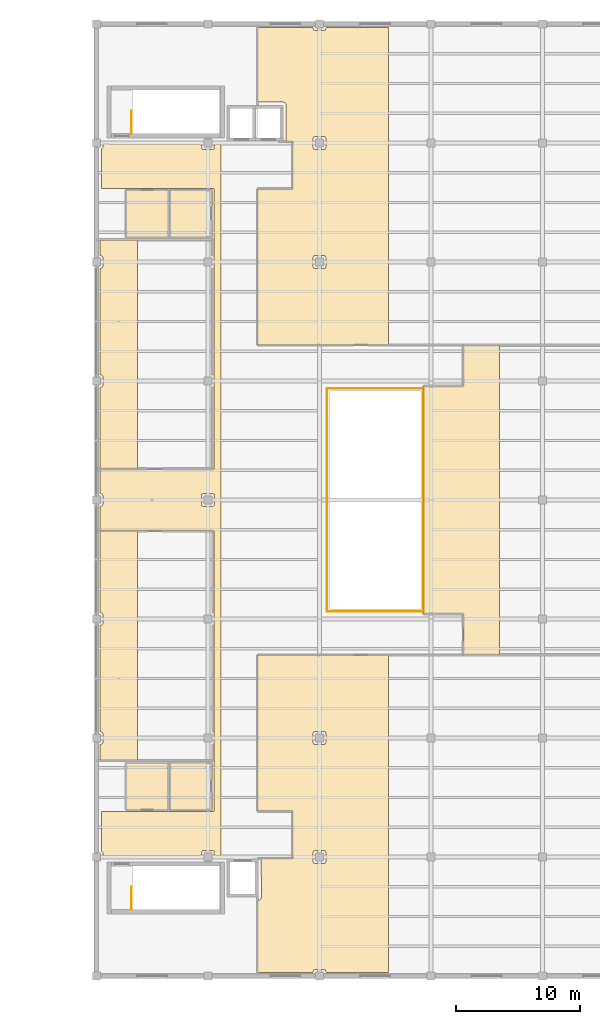
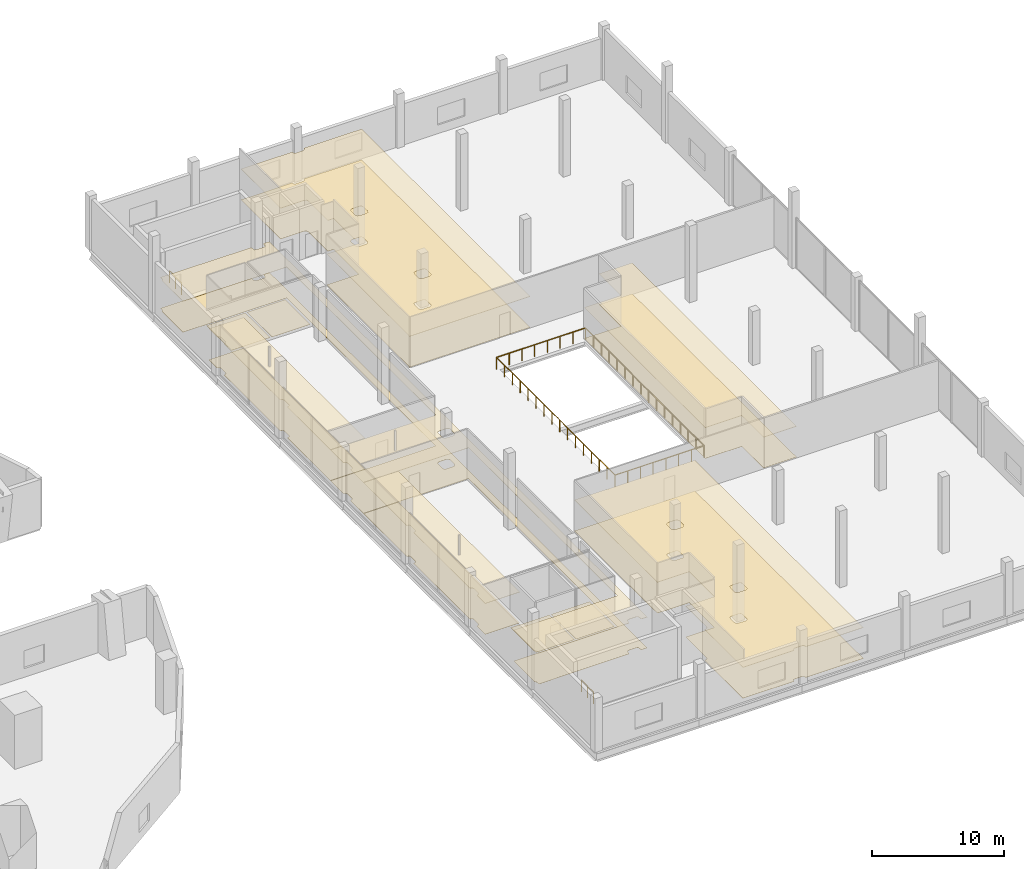
# One storey, part 43 of 43: 16 coverings, 6 railings.
"""IFC4 building model written with IfcOpenShell, lengths in metres."""

from ifc_helpers import new_model, si_unit, direction, frame, origin, origin_2d, place, context, subcontext, project, spatial, polyline, circle, outline, extrude, material, layer, layer_set, type_object, element, save


model = new_model("IFC4")

# Units and contexts
model_context = context("Model", 3, precision=1e-05, world=origin(), true_north=direction((0.0, 1.0)))
body_context = subcontext(model_context, "Body", "Model", "MODEL_VIEW")
ifc_project = project(units=[si_unit("LENGTHUNIT", "METRE"), si_unit("AREAUNIT", "SQUARE_METRE"), si_unit("VOLUMEUNIT", "CUBIC_METRE"), si_unit("PLANEANGLEUNIT", "RADIAN"), si_unit("MASSUNIT", "GRAM", prefix="KILO")], contexts=[model_context])

# Site, building, storey
site_placement = place(None, origin())
site = spatial("IfcSite", under=ifc_project, at=site_placement, CompositionType="ELEMENT")
building_placement = place(site_placement, origin())
building = spatial("IfcBuilding", under=site, at=building_placement, Name="Qorvath Tower", CompositionType="ELEMENT")
storey_placement = place(building_placement, frame((0.0, 0.0, 22.0)))
storey = spatial("IfcBuildingStorey", under=building, at=storey_placement, Name="L04", CompositionType="ELEMENT", Elevation=22.0)

# Coverings
ifc_material_1 = material(Name="Acoustic mineral fibre ceiling tile", Category="gypsum")
ifc_layer_1 = layer(ifc_material_1, 0.030029296875)
ifc_layer_set_1 = layer_set([ifc_layer_1], Name="COV-CEIL")
covering_type_1 = type_object("IfcCoveringType", Name="COV-CEIL", PredefinedType="CEILING", material=ifc_layer_set_1)
covering_1_placement = place(storey_placement, frame((0.0, 0.0, 2.85009765625)))
element("IfcCovering", 1, at=covering_1_placement, inside=storey, type_object=covering_type_1, Name="L04 Suspended Acoustic Ceiling 005", PredefinedType="CEILING", context=body_context, shape_type="SweptSolid", body=[
    extrude(outline(polyline([(41.905029296875, -25.1201171875), (32.804931640625, -25.125), (32.804931640625, -28.302734375), (32.9296875, -28.47314453125), (32.929931640625, -28.733154296875), (40.8701171875, -28.699951171875), (40.931640625, -28.328857421875), (41.074951171875, -28.27001953125), (41.72509765625, -28.27001953125), (41.87109375, -28.331787109375), (41.929931640625, -28.699951171875), (42.455078125, -28.698486328125), (42.455078125, 28.7080078125), (41.929931640625, 28.7099609375), (41.87109375, 28.331787109375), (41.72509765625, 28.27001953125), (41.074951171875, 28.27001953125), (40.931640625, 28.328857421875), (40.8701171875, 28.7099609375), (32.929931640625, 28.7431640625), (32.9296875, 28.47314453125), (32.804931640625, 28.302734375), (32.804931640625, 25.125), (41.905029296875, 25.1201171875), (41.905029296875, 2.5), (32.68505859375, 2.4951171875), (32.68505859375, 0.528564453125), (32.867919921875, 0.47119140625), (32.9296875, 0.326904296875), (32.929931640625, -0.324951171875), (32.867919921875, -0.47119140625), (32.68505859375, -0.528564453125), (32.68505859375, -2.4951171875), (41.905029296875, -2.5), (41.905029296875, -25.1201171875)]), holes=[polyline([(40.928955078125, -0.46826171875), (40.8701171875, -0.324951171875), (40.8701171875, 0.324951171875), (40.931640625, 0.470947265625), (41.074951171875, 0.530029296875), (41.72509765625, 0.530029296875), (41.87109375, 0.46826171875), (41.929931640625, 0.324951171875), (41.929931640625, -0.324951171875), (41.868408203125, -0.470947265625), (41.72509765625, -0.530029296875), (41.074951171875, -0.530029296875), (40.928955078125, -0.46826171875)])]), origin(), (0.0, 0.0, 1.0), 0.030029296875),
])
covering_2_placement = place(storey_placement, frame((0.0, 0.0, 2.85009765625)))
element("IfcCovering", 2, at=covering_2_placement, inside=storey, type_object=covering_type_1, Name="L04 Suspended Acoustic Ceiling 006", PredefinedType="CEILING", context=body_context, shape_type="SweptSolid", body=[
    extrude(outline(polyline([(62.008056640625, 9.18701171875), (58.804931640625, 9.18701171875), (58.804931640625, -9.18701171875), (62.011474609375, -9.1884765625), (62.012939453125, -12.4951171875), (64.908447265625, -12.4951171875), (64.908447265625, 12.4951171875), (62.012939453125, 12.4951171875), (62.008056640625, 9.18701171875)])), origin(), (0.0, 0.0, 1.0), 0.030029296875),
])
covering_3_placement = place(storey_placement, frame((0.0, 0.0, 2.85009765625)))
element("IfcCovering", 3, at=covering_3_placement, inside=storey, type_object=covering_type_1, Name="L04 Suspended Acoustic Ceiling 007", PredefinedType="CEILING", context=body_context, shape_type="SweptSolid", body=[
    extrude(outline(polyline([(45.405029296875, 38.114990234375), (45.405029296875, 32.110107421875), (47.4599609375, 32.110107421875), (47.63671875, 32.036865234375), (47.7099609375, 31.860107421875), (47.69873046875, 28.9130859375), (48.212890625, 28.907958984375), (48.21142578125, 25.1083984375), (45.4130859375, 25.10693359375), (45.4130859375, 12.512939453125), (55.97509765625, 12.512939453125), (55.97509765625, 38.114990234375), (50.9287109375, 38.114990234375), (50.87109375, 37.93212890625), (50.726806640625, 37.870361328125), (50.074951171875, 37.8701171875), (49.9287109375, 37.93212890625), (49.871337890625, 38.114990234375), (45.405029296875, 38.114990234375)]), holes=[polyline([(50.726806640625, 19.729736328125), (50.87109375, 19.668212890625), (50.929931640625, 19.52490234375), (50.929931640625, 18.875), (50.87109375, 18.731689453125), (50.72509765625, 18.669921875), (50.074951171875, 18.669921875), (49.931640625, 18.72900390625), (49.8701171875, 18.875), (49.8701171875, 19.52490234375), (49.928955078125, 19.668212890625), (50.074951171875, 19.72998046875), (50.726806640625, 19.729736328125)]), polyline([(50.87109375, 29.268310546875), (50.929931640625, 29.125), (50.929931640625, 28.47509765625), (50.868408203125, 28.328857421875), (50.72509765625, 28.27001953125), (50.074951171875, 28.27001953125), (49.928955078125, 28.331787109375), (49.8701171875, 28.47509765625), (49.8701171875, 29.125), (49.931640625, 29.27099609375), (50.074951171875, 29.330078125), (50.72509765625, 29.330078125), (50.87109375, 29.268310546875)])]), origin(), (0.0, 0.0, 1.0), 0.030029296875),
])
covering_4_placement = place(storey_placement, frame((0.0, 0.0, 2.85009765625)))
element("IfcCovering", 4, at=covering_4_placement, inside=storey, type_object=covering_type_1, Name="L04 Suspended Acoustic Ceiling 008", PredefinedType="CEILING", context=body_context, shape_type="SweptSolid", body=[
    extrude(outline(polyline([(55.97509765625, -38.114990234375), (55.97509765625, -12.512939453125), (45.4130859375, -12.512939453125), (45.4130859375, -25.10693359375), (48.21142578125, -25.1083984375), (48.212890625, -28.907958984375), (45.69873046875, -28.9130859375), (45.7099609375, -32.06005859375), (45.63671875, -32.23681640625), (45.405029296875, -32.31005859375), (45.405029296875, -38.114990234375), (49.871337890625, -38.114990234375), (49.9287109375, -37.93212890625), (50.072998046875, -37.870361328125), (50.72509765625, -37.8701171875), (50.87109375, -37.93212890625), (50.9287109375, -38.114990234375), (55.97509765625, -38.114990234375)]), holes=[polyline([(50.87109375, -28.331787109375), (50.929931640625, -28.47509765625), (50.929931640625, -29.125), (50.868408203125, -29.27099609375), (50.72509765625, -29.330078125), (50.074951171875, -29.330078125), (49.928955078125, -29.268310546875), (49.8701171875, -29.125), (49.8701171875, -28.47509765625), (49.931640625, -28.328857421875), (50.074951171875, -28.27001953125), (50.72509765625, -28.27001953125), (50.87109375, -28.331787109375)]), polyline([(50.87109375, -18.731689453125), (50.929931640625, -18.875), (50.929931640625, -19.52490234375), (50.868408203125, -19.671142578125), (50.72509765625, -19.72998046875), (50.074951171875, -19.72998046875), (49.928955078125, -19.668212890625), (49.8701171875, -19.52490234375), (49.8701171875, -18.875), (49.931640625, -18.72900390625), (50.074951171875, -18.669921875), (50.72509765625, -18.669921875), (50.87109375, -18.731689453125)])]), origin(), (0.0, 0.0, 1.0), 0.030029296875),
])
covering_5_placement = place(storey_placement, frame((0.0, 0.0, 2.85009765625)))
element("IfcCovering", 5, at=covering_5_placement, inside=storey, type_object=covering_type_1, Name="L04 Suspended Acoustic Ceiling 009", PredefinedType="CEILING", context=body_context, shape_type="SweptSolid", body=[
    extrude(outline(polyline([(32.9296875, 9.273193359375), (32.867919921875, 9.12890625), (32.68505859375, 9.0712890625), (32.68505859375, 2.512939453125), (35.7216796875, 2.512939453125), (35.7216796875, 20.9951171875), (32.68505859375, 20.9951171875), (32.68505859375, 19.728759765625), (32.867919921875, 19.671142578125), (32.9296875, 19.52685546875), (32.929931640625, 18.875), (32.867919921875, 18.728759765625), (32.68505859375, 18.67138671875), (32.68505859375, 10.128662109375), (32.867919921875, 10.0712890625), (32.9296875, 9.927001953125), (32.9296875, 9.273193359375)])), origin(), (0.0, 0.0, 1.0), 0.030029296875),
])
covering_6_placement = place(storey_placement, frame((0.0, 0.0, 2.85009765625)))
element("IfcCovering", 6, at=covering_6_placement, inside=storey, type_object=covering_type_1, Name="L04 Suspended Acoustic Ceiling 010", PredefinedType="CEILING", context=body_context, shape_type="SweptSolid", body=[
    extrude(outline(polyline([(32.9296875, -19.52685546875), (32.867919921875, -19.671142578125), (32.68505859375, -19.728759765625), (32.68505859375, -20.9951171875), (35.7216796875, -20.9951171875), (35.7216796875, -2.512939453125), (32.68505859375, -2.512939453125), (32.68505859375, -9.0712890625), (32.867919921875, -9.12890625), (32.9296875, -9.273193359375), (32.929931640625, -9.925048828125), (32.867919921875, -10.0712890625), (32.68505859375, -10.128662109375), (32.68505859375, -18.67138671875), (32.867919921875, -18.728759765625), (32.9296875, -18.873046875), (32.9296875, -19.52685546875)])), origin(), (0.0, 0.0, 1.0), 0.030029296875),
])
ifc_material_2 = material(Name="Low-VOC modular carpet tile", Category="textile")
ifc_layer_2 = layer(ifc_material_2, 0.014892578125)
ifc_layer_set_2 = layer_set([ifc_layer_2], Name="COV-FLOOR-CPT")
covering_type_2 = type_object("IfcCoveringType", Name="COV-FLOOR-CPT", PredefinedType="FLOORING", material=ifc_layer_set_2)
covering_7_placement = place(storey_placement, origin())
element("IfcCovering", 7, at=covering_7_placement, inside=storey, type_object=covering_type_2, Name="L04 Floor Finish 004", PredefinedType="FLOORING", context=body_context, shape_type="SweptSolid", body=[
    extrude(outline(polyline([(38.195068359375, -21.205078125), (34.804931640625, -21.205078125), (34.804931640625, -24.9951171875), (38.195068359375, -24.9951171875), (38.195068359375, -21.205078125)])), origin(), (0.0, 0.0, 1.0), 0.014892578125),
])
covering_8_placement = place(storey_placement, origin())
element("IfcCovering", 8, at=covering_8_placement, inside=storey, type_object=covering_type_2, Name="L04 Floor Finish 006", PredefinedType="FLOORING", context=body_context, shape_type="SweptSolid", body=[
    extrude(outline(polyline([(62.008056640625, 9.18701171875), (58.804931640625, 9.18701171875), (58.804931640625, -9.18701171875), (62.011474609375, -9.1884765625), (62.012939453125, -12.4951171875), (64.908447265625, -12.4951171875), (64.908447265625, 12.4951171875), (62.012939453125, 12.4951171875), (62.008056640625, 9.18701171875)])), origin(), (0.0, 0.0, 1.0), 0.014892578125),
])
covering_9_placement = place(storey_placement, origin())
element("IfcCovering", 9, at=covering_9_placement, inside=storey, type_object=covering_type_2, Name="L04 Floor Finish 007", PredefinedType="FLOORING", context=body_context, shape_type="SweptSolid", body=[
    extrude(outline(polyline([(45.405029296875, 38.114990234375), (45.405029296875, 32.110107421875), (47.4599609375, 32.110107421875), (47.63671875, 32.036865234375), (47.7099609375, 31.860107421875), (47.69873046875, 28.9130859375), (48.212890625, 28.907958984375), (48.21142578125, 25.1083984375), (45.4130859375, 25.10693359375), (45.4130859375, 12.512939453125), (55.97509765625, 12.512939453125), (55.97509765625, 38.114990234375), (50.9287109375, 38.114990234375), (50.87109375, 37.93212890625), (50.726806640625, 37.870361328125), (50.074951171875, 37.8701171875), (49.9287109375, 37.93212890625), (49.871337890625, 38.114990234375), (45.405029296875, 38.114990234375)]), holes=[polyline([(50.726806640625, 19.729736328125), (50.87109375, 19.668212890625), (50.929931640625, 19.52490234375), (50.929931640625, 18.875), (50.87109375, 18.731689453125), (50.72509765625, 18.669921875), (50.074951171875, 18.669921875), (49.931640625, 18.72900390625), (49.8701171875, 18.875), (49.8701171875, 19.52490234375), (49.928955078125, 19.668212890625), (50.074951171875, 19.72998046875), (50.726806640625, 19.729736328125)]), polyline([(50.87109375, 29.268310546875), (50.929931640625, 29.125), (50.929931640625, 28.47509765625), (50.868408203125, 28.328857421875), (50.72509765625, 28.27001953125), (50.074951171875, 28.27001953125), (49.928955078125, 28.331787109375), (49.8701171875, 28.47509765625), (49.8701171875, 29.125), (49.931640625, 29.27099609375), (50.074951171875, 29.330078125), (50.72509765625, 29.330078125), (50.87109375, 29.268310546875)])]), origin(), (0.0, 0.0, 1.0), 0.014892578125),
])
covering_10_placement = place(storey_placement, origin())
element("IfcCovering", 10, at=covering_10_placement, inside=storey, type_object=covering_type_2, Name="L04 Floor Finish 008", PredefinedType="FLOORING", context=body_context, shape_type="SweptSolid", body=[
    extrude(outline(polyline([(55.97509765625, -38.114990234375), (55.97509765625, -12.512939453125), (45.4130859375, -12.512939453125), (45.4130859375, -25.10693359375), (48.21142578125, -25.1083984375), (48.212890625, -28.907958984375), (45.69873046875, -28.9130859375), (45.7099609375, -32.06005859375), (45.63671875, -32.23681640625), (45.405029296875, -32.31005859375), (45.405029296875, -38.114990234375), (49.871337890625, -38.114990234375), (49.9287109375, -37.93212890625), (50.072998046875, -37.870361328125), (50.72509765625, -37.8701171875), (50.87109375, -37.93212890625), (50.9287109375, -38.114990234375), (55.97509765625, -38.114990234375)]), holes=[polyline([(50.87109375, -28.331787109375), (50.929931640625, -28.47509765625), (50.929931640625, -29.125), (50.868408203125, -29.27099609375), (50.72509765625, -29.330078125), (50.074951171875, -29.330078125), (49.928955078125, -29.268310546875), (49.8701171875, -29.125), (49.8701171875, -28.47509765625), (49.931640625, -28.328857421875), (50.074951171875, -28.27001953125), (50.72509765625, -28.27001953125), (50.87109375, -28.331787109375)]), polyline([(50.87109375, -18.731689453125), (50.929931640625, -18.875), (50.929931640625, -19.52490234375), (50.868408203125, -19.671142578125), (50.72509765625, -19.72998046875), (50.074951171875, -19.72998046875), (49.928955078125, -19.668212890625), (49.8701171875, -19.52490234375), (49.8701171875, -18.875), (49.931640625, -18.72900390625), (50.074951171875, -18.669921875), (50.72509765625, -18.669921875), (50.87109375, -18.731689453125)])]), origin(), (0.0, 0.0, 1.0), 0.014892578125),
])
covering_11_placement = place(storey_placement, origin())
element("IfcCovering", 11, at=covering_11_placement, inside=storey, type_object=covering_type_2, Name="L04 Floor Finish 009", PredefinedType="FLOORING", context=body_context, shape_type="SweptSolid", body=[
    extrude(outline(polyline([(32.9296875, 9.273193359375), (32.867919921875, 9.12890625), (32.68505859375, 9.0712890625), (32.68505859375, 2.512939453125), (35.7216796875, 2.512939453125), (35.7216796875, 20.9951171875), (32.68505859375, 20.9951171875), (32.68505859375, 19.728759765625), (32.867919921875, 19.671142578125), (32.9296875, 19.52685546875), (32.929931640625, 18.875), (32.867919921875, 18.728759765625), (32.68505859375, 18.67138671875), (32.68505859375, 10.128662109375), (32.867919921875, 10.0712890625), (32.9296875, 9.927001953125), (32.9296875, 9.273193359375)])), origin(), (0.0, 0.0, 1.0), 0.014892578125),
])
covering_12_placement = place(storey_placement, origin())
element("IfcCovering", 12, at=covering_12_placement, inside=storey, type_object=covering_type_2, Name="L04 Floor Finish 010", PredefinedType="FLOORING", context=body_context, shape_type="SweptSolid", body=[
    extrude(outline(polyline([(32.9296875, -19.52685546875), (32.867919921875, -19.671142578125), (32.68505859375, -19.728759765625), (32.68505859375, -20.9951171875), (35.7216796875, -20.9951171875), (35.7216796875, -2.512939453125), (32.68505859375, -2.512939453125), (32.68505859375, -9.0712890625), (32.867919921875, -9.12890625), (32.9296875, -9.273193359375), (32.929931640625, -9.925048828125), (32.867919921875, -10.0712890625), (32.68505859375, -10.128662109375), (32.68505859375, -18.67138671875), (32.867919921875, -18.728759765625), (32.9296875, -18.873046875), (32.9296875, -19.52685546875)])), origin(), (0.0, 0.0, 1.0), 0.014892578125),
])
ifc_material_3 = material(Name="Polished epoxy terrazzo flooring", Category="concrete")
ifc_layer_3 = layer(ifc_material_3, 0.02001953125)
ifc_layer_set_3 = layer_set([ifc_layer_3], Name="COV-FLOOR-TRZ")
covering_type_3 = type_object("IfcCoveringType", Name="COV-FLOOR-TRZ", PredefinedType="FLOORING", material=ifc_layer_set_3)
covering_13_placement = place(storey_placement, origin())
element("IfcCovering", 13, at=covering_13_placement, inside=storey, type_object=covering_type_3, Name="L04 Floor Finish 001", PredefinedType="FLOORING", context=body_context, shape_type="SweptSolid", body=[
    extrude(outline(polyline([(38.195068359375, 24.9951171875), (34.804931640625, 24.9951171875), (34.804931640625, 21.205078125), (38.195068359375, 21.205078125), (38.195068359375, 24.9951171875)])), origin(), (0.0, 0.0, 1.0), 0.014892578125),
])
covering_14_placement = place(storey_placement, origin())
element("IfcCovering", 14, at=covering_14_placement, inside=storey, type_object=covering_type_3, Name="L04 Floor Finish 002", PredefinedType="FLOORING", context=body_context, shape_type="SweptSolid", body=[
    extrude(outline(polyline([(41.695068359375, 24.9951171875), (38.35498046875, 24.9951171875), (38.35498046875, 21.205078125), (41.695068359375, 21.205078125), (41.695068359375, 24.9951171875)])), origin(), (0.0, 0.0, 1.0), 0.014892578125),
])
covering_15_placement = place(storey_placement, origin())
element("IfcCovering", 15, at=covering_15_placement, inside=storey, type_object=covering_type_3, Name="L04 Floor Finish 003", PredefinedType="FLOORING", context=body_context, shape_type="SweptSolid", body=[
    extrude(outline(polyline([(41.695068359375, -21.205078125), (38.35498046875, -21.205078125), (38.35498046875, -24.9951171875), (41.695068359375, -24.9951171875), (41.695068359375, -21.205078125)])), origin(), (0.0, 0.0, 1.0), 0.014892578125),
])
covering_16_placement = place(storey_placement, origin())
element("IfcCovering", 16, at=covering_16_placement, inside=storey, type_object=covering_type_3, Name="L04 Floor Finish 005", PredefinedType="FLOORING", context=body_context, shape_type="SweptSolid", body=[
    extrude(outline(polyline([(41.905029296875, -25.1201171875), (32.804931640625, -25.125), (32.804931640625, -28.302734375), (32.9296875, -28.47314453125), (32.929931640625, -28.733154296875), (40.8701171875, -28.699951171875), (40.931640625, -28.328857421875), (41.074951171875, -28.27001953125), (41.72509765625, -28.27001953125), (41.87109375, -28.331787109375), (41.929931640625, -28.699951171875), (42.455078125, -28.698486328125), (42.455078125, 28.7080078125), (41.929931640625, 28.7099609375), (41.87109375, 28.331787109375), (41.72509765625, 28.27001953125), (41.074951171875, 28.27001953125), (40.931640625, 28.328857421875), (40.8701171875, 28.7099609375), (32.929931640625, 28.7431640625), (32.9296875, 28.47314453125), (32.804931640625, 28.302734375), (32.804931640625, 25.125), (41.905029296875, 25.1201171875), (41.905029296875, 2.5), (32.68505859375, 2.4951171875), (32.68505859375, 0.528564453125), (32.867919921875, 0.47119140625), (32.9296875, 0.326904296875), (32.929931640625, -0.324951171875), (32.867919921875, -0.47119140625), (32.68505859375, -0.528564453125), (32.68505859375, -2.4951171875), (41.905029296875, -2.5), (41.905029296875, -25.1201171875)]), holes=[polyline([(40.928955078125, -0.46826171875), (40.8701171875, -0.324951171875), (40.8701171875, 0.324951171875), (40.931640625, 0.470947265625), (41.074951171875, 0.530029296875), (41.72509765625, 0.530029296875), (41.87109375, 0.46826171875), (41.929931640625, 0.324951171875), (41.929931640625, -0.324951171875), (41.868408203125, -0.470947265625), (41.72509765625, -0.530029296875), (41.074951171875, -0.530029296875), (40.928955078125, -0.46826171875)])]), origin(), (0.0, 0.0, 1.0), 0.014892578125),
])

# Railings
ifc_material_4 = material(Name="Stainless steel AISI 316 and laminated glass", Category="steel")
railing_type_1 = type_object("IfcRailingType", Name="RL-ATRIUM-BAL", PredefinedType="BALUSTRADE", material=ifc_material_4)
railing_1_placement = place(storey_placement, frame((51.0, -9.0, 0.0)))
element("IfcRailing", 17, at=railing_1_placement, inside=storey, type_object=railing_type_1, Name="Library Atrium Balustrade L04-1", PredefinedType="BALUSTRADE", context=body_context, shape_type="SweptSolid", body=[
    extrude(circle(Radius=0.02392578125, at=origin_2d()), frame((0.0, 0.0, 1.09619140625), z_axis=(1.0, 0.0, 0.0), x_axis=(0.0, 1.0, 0.0)), (0.0, 0.0, 1.0), 7.800048828125),
    extrude(circle(Radius=0.02099609375, at=origin_2d()), origin(), (0.0, 0.0, 1.0), 1.072021484375),
    extrude(circle(Radius=0.02099609375, at=origin_2d()), frame((1.1142578125, 0.0, 0.0)), (0.0, 0.0, 1.0), 1.072021484375),
    extrude(circle(Radius=0.02099609375, at=origin_2d()), frame((2.228515625, 0.0, 0.0)), (0.0, 0.0, 1.0), 1.072021484375),
    extrude(circle(Radius=0.02099609375, at=origin_2d()), frame((3.3427734375, 0.0, 0.0)), (0.0, 0.0, 1.0), 1.072021484375),
    extrude(circle(Radius=0.02099609375, at=origin_2d()), frame((4.457275390625, 0.0, 0.0)), (0.0, 0.0, 1.0), 1.072021484375),
    extrude(circle(Radius=0.02099609375, at=origin_2d()), frame((5.571533203125, 0.0, 0.0)), (0.0, 0.0, 1.0), 1.072021484375),
    extrude(circle(Radius=0.02099609375, at=origin_2d()), frame((6.685791015625, 0.0, 0.0)), (0.0, 0.0, 1.0), 1.072021484375),
    extrude(circle(Radius=0.02099609375, at=origin_2d()), frame((7.800048828125, 0.0, 0.0)), (0.0, 0.0, 1.0), 1.072021484375),
])
railing_2_placement = place(storey_placement, frame((58.800048828125, -9.0, 0.0)))
element("IfcRailing", 18, at=railing_2_placement, inside=storey, type_object=railing_type_1, Name="Library Atrium Balustrade L04-2", PredefinedType="BALUSTRADE", context=body_context, shape_type="SweptSolid", body=[
    extrude(circle(Radius=0.02392578125, at=origin_2d()), frame((0.0, 0.0, 1.09619140625), z_axis=(0.0, 1.0, 0.0), x_axis=(-1.0, 0.0, 0.0)), (0.0, 0.0, 1.0), 18.0),
    extrude(circle(Radius=0.02099609375, at=origin_2d()), origin(), (0.0, 0.0, 1.0), 1.072021484375),
    extrude(circle(Radius=0.02099609375, at=origin_2d()), frame((0.0, 1.199951171875, 0.0)), (0.0, 0.0, 1.0), 1.072021484375),
    extrude(circle(Radius=0.02099609375, at=origin_2d()), frame((0.0, 2.39990234375, 0.0)), (0.0, 0.0, 1.0), 1.072021484375),
    extrude(circle(Radius=0.02099609375, at=origin_2d()), frame((0.0, 3.60009765625, 0.0)), (0.0, 0.0, 1.0), 1.072021484375),
    extrude(circle(Radius=0.02099609375, at=origin_2d()), frame((0.0, 4.800048828125, 0.0)), (0.0, 0.0, 1.0), 1.072021484375),
    extrude(circle(Radius=0.02099609375, at=origin_2d()), frame((0.0, 6.0, 0.0)), (0.0, 0.0, 1.0), 1.072021484375),
    extrude(circle(Radius=0.02099609375, at=origin_2d()), frame((0.0, 7.199951171875, 0.0)), (0.0, 0.0, 1.0), 1.072021484375),
    extrude(circle(Radius=0.02099609375, at=origin_2d()), frame((0.0, 8.39990234375, 0.0)), (0.0, 0.0, 1.0), 1.072021484375),
    extrude(circle(Radius=0.02099609375, at=origin_2d()), frame((0.0, 9.60009765625, 0.0)), (0.0, 0.0, 1.0), 1.072021484375),
    extrude(circle(Radius=0.02099609375, at=origin_2d()), frame((0.0, 10.800048828125, 0.0)), (0.0, 0.0, 1.0), 1.072021484375),
    extrude(circle(Radius=0.02099609375, at=origin_2d()), frame((0.0, 12.0, 0.0)), (0.0, 0.0, 1.0), 1.072021484375),
    extrude(circle(Radius=0.02099609375, at=origin_2d()), frame((0.0, 13.199951171875, 0.0)), (0.0, 0.0, 1.0), 1.072021484375),
    extrude(circle(Radius=0.02099609375, at=origin_2d()), frame((0.0, 14.39990234375, 0.0)), (0.0, 0.0, 1.0), 1.072021484375),
    extrude(circle(Radius=0.02099609375, at=origin_2d()), frame((0.0, 15.60009765625, 0.0)), (0.0, 0.0, 1.0), 1.072021484375),
    extrude(circle(Radius=0.02099609375, at=origin_2d()), frame((0.0, 16.800048828125, 0.0)), (0.0, 0.0, 1.0), 1.072021484375),
    extrude(circle(Radius=0.02099609375, at=origin_2d()), frame((0.0, 18.0, 0.0)), (0.0, 0.0, 1.0), 1.072021484375),
])
railing_3_placement = place(storey_placement, frame((58.800048828125, 9.0, 0.0)))
element("IfcRailing", 19, at=railing_3_placement, inside=storey, type_object=railing_type_1, Name="Library Atrium Balustrade L04-3", PredefinedType="BALUSTRADE", context=body_context, shape_type="SweptSolid", body=[
    extrude(circle(Radius=0.02392578125, at=origin_2d()), frame((0.0, 0.0, 1.09619140625), z_axis=(-1.0, 0.0, 0.0), x_axis=(0.0, -1.0, 0.0)), (0.0, 0.0, 1.0), 7.800048828125),
    extrude(circle(Radius=0.02099609375, at=origin_2d()), origin(), (0.0, 0.0, 1.0), 1.072021484375),
    extrude(circle(Radius=0.02099609375, at=origin_2d()), frame((-1.1142578125, 0.0, 0.0)), (0.0, 0.0, 1.0), 1.072021484375),
    extrude(circle(Radius=0.02099609375, at=origin_2d()), frame((-2.228515625, 0.0, 0.0)), (0.0, 0.0, 1.0), 1.072021484375),
    extrude(circle(Radius=0.02099609375, at=origin_2d()), frame((-3.3427734375, 0.0, 0.0)), (0.0, 0.0, 1.0), 1.072021484375),
    extrude(circle(Radius=0.02099609375, at=origin_2d()), frame((-4.457275390625, 0.0, 0.0)), (0.0, 0.0, 1.0), 1.072021484375),
    extrude(circle(Radius=0.02099609375, at=origin_2d()), frame((-5.571533203125, 0.0, 0.0)), (0.0, 0.0, 1.0), 1.072021484375),
    extrude(circle(Radius=0.02099609375, at=origin_2d()), frame((-6.685791015625, 0.0, 0.0)), (0.0, 0.0, 1.0), 1.072021484375),
    extrude(circle(Radius=0.02099609375, at=origin_2d()), frame((-7.800048828125, 0.0, 0.0)), (0.0, 0.0, 1.0), 1.072021484375),
])
railing_4_placement = place(storey_placement, frame((51.0, 9.0, 0.0)))
element("IfcRailing", 20, at=railing_4_placement, inside=storey, type_object=railing_type_1, Name="Library Atrium Balustrade L04-4", PredefinedType="BALUSTRADE", context=body_context, shape_type="SweptSolid", body=[
    extrude(circle(Radius=0.02392578125, at=origin_2d()), frame((0.0, 0.0, 1.09619140625), z_axis=(0.0, -1.0, 0.0), x_axis=(1.0, 0.0, 0.0)), (0.0, 0.0, 1.0), 18.0),
    extrude(circle(Radius=0.02099609375, at=origin_2d()), origin(), (0.0, 0.0, 1.0), 1.072021484375),
    extrude(circle(Radius=0.02099609375, at=origin_2d()), frame((0.0, -1.199951171875, 0.0)), (0.0, 0.0, 1.0), 1.072021484375),
    extrude(circle(Radius=0.02099609375, at=origin_2d()), frame((0.0, -2.39990234375, 0.0)), (0.0, 0.0, 1.0), 1.072021484375),
    extrude(circle(Radius=0.02099609375, at=origin_2d()), frame((0.0, -3.60009765625, 0.0)), (0.0, 0.0, 1.0), 1.072021484375),
    extrude(circle(Radius=0.02099609375, at=origin_2d()), frame((0.0, -4.800048828125, 0.0)), (0.0, 0.0, 1.0), 1.072021484375),
    extrude(circle(Radius=0.02099609375, at=origin_2d()), frame((0.0, -6.0, 0.0)), (0.0, 0.0, 1.0), 1.072021484375),
    extrude(circle(Radius=0.02099609375, at=origin_2d()), frame((0.0, -7.199951171875, 0.0)), (0.0, 0.0, 1.0), 1.072021484375),
    extrude(circle(Radius=0.02099609375, at=origin_2d()), frame((0.0, -8.39990234375, 0.0)), (0.0, 0.0, 1.0), 1.072021484375),
    extrude(circle(Radius=0.02099609375, at=origin_2d()), frame((0.0, -9.60009765625, 0.0)), (0.0, 0.0, 1.0), 1.072021484375),
    extrude(circle(Radius=0.02099609375, at=origin_2d()), frame((0.0, -10.800048828125, 0.0)), (0.0, 0.0, 1.0), 1.072021484375),
    extrude(circle(Radius=0.02099609375, at=origin_2d()), frame((0.0, -12.0, 0.0)), (0.0, 0.0, 1.0), 1.072021484375),
    extrude(circle(Radius=0.02099609375, at=origin_2d()), frame((0.0, -13.199951171875, 0.0)), (0.0, 0.0, 1.0), 1.072021484375),
    extrude(circle(Radius=0.02099609375, at=origin_2d()), frame((0.0, -14.39990234375, 0.0)), (0.0, 0.0, 1.0), 1.072021484375),
    extrude(circle(Radius=0.02099609375, at=origin_2d()), frame((0.0, -15.60009765625, 0.0)), (0.0, 0.0, 1.0), 1.072021484375),
    extrude(circle(Radius=0.02099609375, at=origin_2d()), frame((0.0, -16.800048828125, 0.0)), (0.0, 0.0, 1.0), 1.072021484375),
    extrude(circle(Radius=0.02099609375, at=origin_2d()), frame((0.0, -18.0, 0.0)), (0.0, 0.0, 1.0), 1.072021484375),
])
ifc_material_5 = material(Name="Painted galvanised steel", Category="steel")
railing_type_2 = type_object("IfcRailingType", Name="RL-STR-GRD", PredefinedType="GUARDRAIL", material=ifc_material_5)
railing_5_placement = place(storey_placement, frame((35.22998046875, 29.550048828125, 0.0)))
element("IfcRailing", 21, at=railing_5_placement, inside=storey, type_object=railing_type_2, Name="L04 LS1 top well guard 1", PredefinedType="GUARDRAIL", context=body_context, shape_type="SweptSolid", body=[
    extrude(circle(Radius=0.02392578125, at=origin_2d()), frame((0.0, 0.0, 1.076171875), z_axis=(0.0, 1.0, 0.0), x_axis=(-1.0, 0.0, 0.0)), (0.0, 0.0, 1.0), 1.829833984375),
    extrude(circle(Radius=0.02099609375, at=origin_2d()), origin(), (0.0, 0.0, 1.0), 1.052001953125),
    extrude(circle(Radius=0.02099609375, at=origin_2d()), frame((0.0, 0.9150390625, 0.0)), (0.0, 0.0, 1.0), 1.052001953125),
    extrude(circle(Radius=0.02099609375, at=origin_2d()), frame((0.0, 1.829833984375, 0.0)), (0.0, 0.0, 1.0), 1.052001953125),
])
railing_6_placement = place(storey_placement, frame((35.22998046875, -33.050048828125, 0.0)))
element("IfcRailing", 22, at=railing_6_placement, inside=storey, type_object=railing_type_2, Name="L04 LS2 top well guard 1", PredefinedType="GUARDRAIL", context=body_context, shape_type="SweptSolid", body=[
    extrude(circle(Radius=0.02392578125, at=origin_2d()), frame((0.0, 0.0, 1.076171875), z_axis=(0.0, 1.0, 0.0), x_axis=(-1.0, 0.0, 0.0)), (0.0, 0.0, 1.0), 1.830078125),
    extrude(circle(Radius=0.02099609375, at=origin_2d()), origin(), (0.0, 0.0, 1.0), 1.052001953125),
    extrude(circle(Radius=0.02099609375, at=origin_2d()), frame((0.0, 0.9150390625, 0.0)), (0.0, 0.0, 1.0), 1.052001953125),
    extrude(circle(Radius=0.02099609375, at=origin_2d()), frame((0.0, 1.830078125, 0.0)), (0.0, 0.0, 1.0), 1.052001953125),
])

save(model, "model.ifc")
